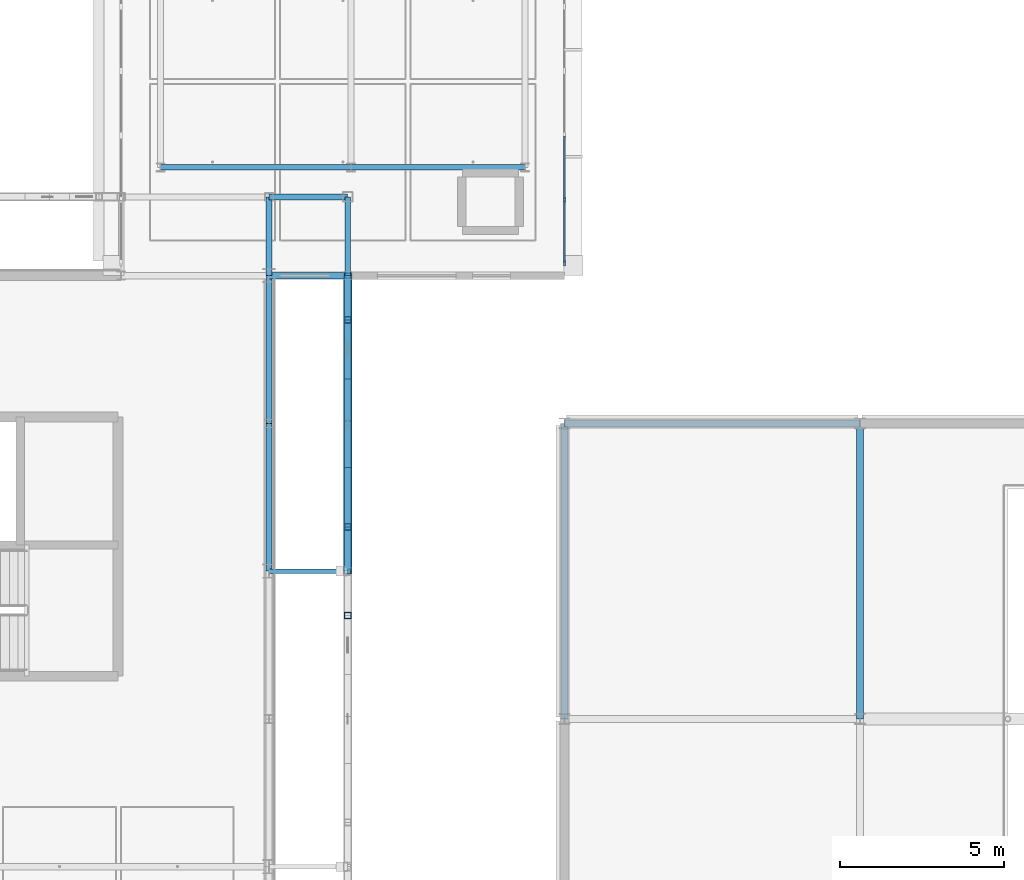
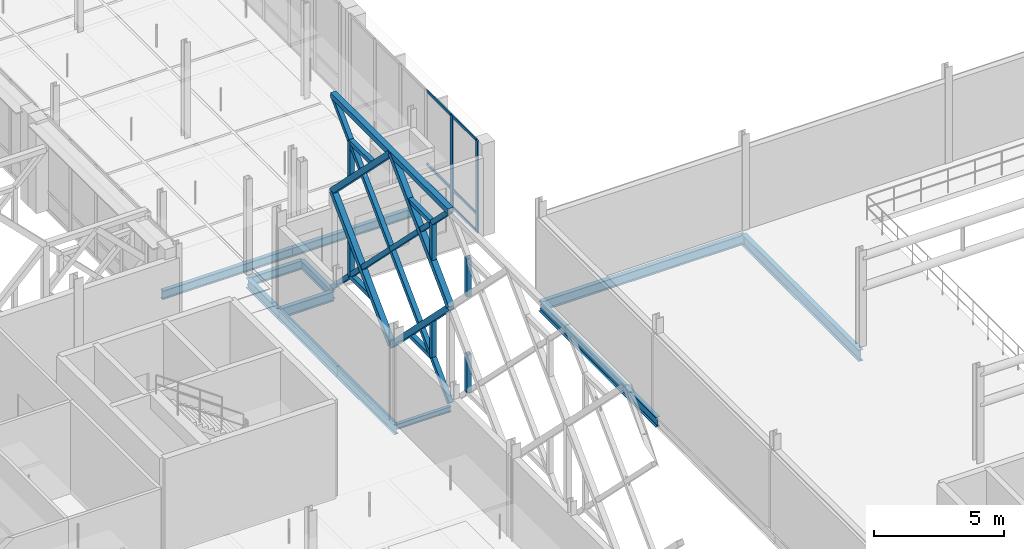
# One storey, part 42 of 140: 30 members, 12 beams, 1 element without a shape of its own.
"""IFC4 building model written with IfcOpenShell, lengths in metres."""

from ifc_helpers import new_model, si_unit, direction, frame, origin, origin_2d, place, context, subcontext, project, spatial, rectangle, hollow_rectangle, i_section, extrude, material, material_profile, profile_set, type_object, element, aggregate, save


model = new_model("IFC4")

# Units and contexts
model_context = context("Model", 3, precision=1e-05, world=origin(), true_north=direction((0.0, 1.0)))
body_context = subcontext(model_context, "Body", "Model", "MODEL_VIEW")
ifc_project = project(units=[si_unit("LENGTHUNIT", "METRE"), si_unit("AREAUNIT", "SQUARE_METRE"), si_unit("VOLUMEUNIT", "CUBIC_METRE"), si_unit("PLANEANGLEUNIT", "RADIAN"), si_unit("MASSUNIT", "GRAM", prefix="KILO"), si_unit("THERMODYNAMICTEMPERATUREUNIT", "KELVIN"), si_unit("POWERUNIT", "WATT")], contexts=[model_context])

# Site, building, storey
site_placement = place(None, origin())
site = spatial("IfcSite", under=ifc_project, at=site_placement, CompositionType="ELEMENT")
building_placement = place(site_placement, origin())
building = spatial("IfcBuilding", under=site, at=building_placement, Name="Tallowbark Science Centre", CompositionType="ELEMENT")
storey_placement = place(building_placement, frame((0.0, 0.0, 9.89990234375)))
storey = spatial("IfcBuildingStorey", under=building, at=storey_placement, Name="L02", CompositionType="ELEMENT", Elevation=9.89990234375)

# Beams
ifc_material_1 = material(Name="White Architectural Painted Steel Grade C350L0 (350 MPa)", Category="steel")
ifc_material_profile_1 = material_profile(ifc_material_1, i_section(OverallWidth=0.146484375, OverallDepth=0.256103515625, WebThickness=0.00634765625, FlangeThickness=0.010986328125, FilletRadius=0.0087890625, at=origin_2d()), Name="250UB37.3")
ifc_profile_set_1 = profile_set([ifc_material_profile_1], Name="White Architectural Painted Steel Grade C350L0 (350 MPa)")
beam_type_1 = type_object("IfcBeamType", Name="BM-OUT250", PredefinedType="BEAM", material=ifc_profile_set_1)
beam_1_placement = place(storey_placement, frame((103.5, 31.5, -0.25), z_axis=(1.0, 0.0, 0.0), x_axis=(0.0, 1.0, 0.0)))
element("IfcBeam", 1, at=beam_1_placement, inside=storey, type_object=beam_type_1, Name="Star Screen Outrigger Tie Beam E-35", PredefinedType="BEAM", context=body_context, shape_type="SweptSolid", body=[
    extrude(i_section(OverallWidth=0.146484375, OverallDepth=0.256103515625, WebThickness=0.00634765625, FlangeThickness=0.010986328125, FilletRadius=0.0087890625, at=origin_2d()), origin(), (0.0, 0.0, 1.0), 2.39990234375),
])
ifc_material_2 = material(Name="Structural Steel Grade 300PLUS (300 MPa)", Category="steel")
ifc_material_profile_2 = material_profile(ifc_material_2, i_section(OverallWidth=0.177734375, OverallDepth=0.406494140625, WebThickness=0.0078125, FlangeThickness=0.0126953125, FilletRadius=0.011474609375, at=origin_2d()), Name="410UB59.7")
ifc_profile_set_2 = profile_set([ifc_material_profile_2], Name="Structural Steel Grade 300PLUS (300 MPa)")
beam_type_2 = type_object("IfcBeamType", Name="BM-UB410", PredefinedType="BEAM", material=ifc_profile_set_2)
beam_2_placement = place(storey_placement, frame((103.5, 42.89990234375, -0.383056640625), z_axis=(1.0, 0.0, 0.0), x_axis=(0.0, 1.0, 0.0)))
element("IfcBeam", 2, at=beam_2_placement, inside=storey, type_object=beam_type_2, Name="Primary Girder GRDX-L02-1035-1059-429", PredefinedType="BEAM", context=body_context, shape_type="SweptSolid", body=[
    extrude(i_section(OverallWidth=0.177734375, OverallDepth=0.406494140625, WebThickness=0.0078125, FlangeThickness=0.0126953125, FilletRadius=0.011474609375, at=origin_2d()), origin(), (0.0, 0.0, 1.0), 2.39990234375),
])
beam_3_placement = place(storey_placement, frame((100.199951171875, 43.800048828125, -0.383056640625), z_axis=(1.0, 0.0, 0.0), x_axis=(0.0, 1.0, 0.0)))
element("IfcBeam", 3, at=beam_3_placement, inside=storey, type_object=beam_type_2, Name="Primary Girder GRDX-L02-1002-1060-438", PredefinedType="BEAM", context=body_context, shape_type="SweptSolid", body=[
    extrude(i_section(OverallWidth=0.177734375, OverallDepth=0.406494140625, WebThickness=0.0078125, FlangeThickness=0.0126953125, FilletRadius=0.011474609375, at=origin_2d()), origin(), (0.0, 0.0, 1.0), 5.800048828125),
])
beam_4_placement = place(storey_placement, frame((106.0, 43.800048828125, -0.383056640625), z_axis=(1.0, 0.0, 0.0), x_axis=(0.0, 1.0, 0.0)))
element("IfcBeam", 4, at=beam_4_placement, inside=storey, type_object=beam_type_2, Name="Primary Girder GRDX-L02-1060-1113-438", PredefinedType="BEAM", context=body_context, shape_type="SweptSolid", body=[
    extrude(i_section(OverallWidth=0.177734375, OverallDepth=0.406494140625, WebThickness=0.0078125, FlangeThickness=0.0126953125, FilletRadius=0.011474609375, at=origin_2d()), origin(), (0.0, 0.0, 1.0), 5.300048828125),
])
beam_5_placement = place(storey_placement, frame((105.89990234375, 40.5, -0.383056640625), z_axis=(0.0, 1.0, 0.0), x_axis=(-1.0, 0.0, 0.0)))
element("IfcBeam", 5, at=beam_5_placement, inside=storey, type_object=beam_type_2, Name="Primary Girder GRDY-L02-1059-405-429", PredefinedType="BEAM", context=body_context, shape_type="SweptSolid", body=[
    extrude(i_section(OverallWidth=0.177734375, OverallDepth=0.406494140625, WebThickness=0.0078125, FlangeThickness=0.0126953125, FilletRadius=0.011474609375, at=origin_2d()), origin(), (0.0, 0.0, 1.0), 2.39990234375),
])
ifc_material_profile_3 = material_profile(ifc_material_2, i_section(OverallWidth=0.208740234375, OverallDepth=0.5283203125, WebThickness=0.009521484375, FlangeThickness=0.01318359375, FilletRadius=0.013916015625, at=origin_2d()), Name="530UB82.0")
ifc_profile_set_3 = profile_set([ifc_material_profile_3], Name="Structural Steel Grade 300PLUS (300 MPa)")
beam_type_3 = type_object("IfcBeamType", Name="BM-UB530B", PredefinedType="BEAM", material=ifc_profile_set_3)
beam_6_placement = place(storey_placement, frame((121.5, 27.0, -0.509033203125), z_axis=(0.0, 1.0, 0.0), x_axis=(-1.0, 0.0, 0.0)))
element("IfcBeam", 6, at=beam_6_placement, inside=storey, type_object=beam_type_3, Name="Primary Girder GRDY-L02-1215-270-360", PredefinedType="BEAM", context=body_context, shape_type="SweptSolid", body=[
    extrude(i_section(OverallWidth=0.208740234375, OverallDepth=0.5283203125, WebThickness=0.009521484375, FlangeThickness=0.01318359375, FilletRadius=0.013916015625, at=origin_2d()), origin(), (0.0, 0.0, 1.0), 9.0),
])

# Curtain wall, members
ifc_material_3 = material(Name="Unitised Thermally Broken Aluminium and Low-E Double Glazing", Category="aluminium")
curtain_wall_type = type_object("IfcCurtainWallType", Name="CW-SYS-FACADE", PredefinedType="NOTDEFINED", material=ifc_material_3)
curtain_wall_placement = place(storey_placement, origin())
curtain_wall = element("IfcCurtainWall", 7, at=curtain_wall_placement, inside=storey, type_object=curtain_wall_type, Name="Unitised Curtain Wall LNK-E-0 CW-L02-017", PredefinedType="NOTDEFINED")
ifc_material_4 = material(Name="Anodised Architectural Aluminium Alloy 6063-T6", Category="aluminium")
ifc_material_profile_4 = material_profile(ifc_material_4, rectangle(XDim=0.06494140625, YDim=0.179931640625, at=origin_2d()), Name="ALU65x180")
ifc_profile_set_4 = profile_set([ifc_material_profile_4], Name="Anodised Architectural Aluminium Alloy 6063-T6")
member_type_1 = type_object("IfcMemberType", Name="CWM-MUL-220", PredefinedType="MULLION", material=ifc_profile_set_4)
member_1_placement = place(storey_placement, frame((112.5, 40.882568359375, 0.0), z_axis=(0.0, 0.0, 1.0), x_axis=(-1.0, 0.0, 0.0)))
member_1 = element("IfcMember", 8, at=member_1_placement, type_object=member_type_1, Name="CW-01 mullion 1", PredefinedType="MULLION", context=body_context, shape_type="SweptSolid", body=[
    extrude(rectangle(XDim=0.06494140625, YDim=0.179931640625, at=origin_2d()), origin(), (0.0, 0.0, 1.0), 4.320068359375),
])
member_2_placement = place(storey_placement, frame((112.5, 42.81005859375, 0.0), z_axis=(0.0, 0.0, 1.0), x_axis=(-1.0, 0.0, 0.0)))
member_2 = element("IfcMember", 9, at=member_2_placement, type_object=member_type_1, Name="CW-01 mullion 2", PredefinedType="MULLION", context=body_context, shape_type="SweptSolid", body=[
    extrude(rectangle(XDim=0.06494140625, YDim=0.179931640625, at=origin_2d()), origin(), (0.0, 0.0, 1.0), 4.320068359375),
])
ifc_material_profile_5 = material_profile(ifc_material_4, rectangle(XDim=0.054931640625, YDim=0.1201171875, at=origin_2d()), Name="ALU55x120")
ifc_profile_set_5 = profile_set([ifc_material_profile_5], Name="Anodised Architectural Aluminium Alloy 6063-T6")
member_type_2 = type_object("IfcMemberType", Name="CWM-TRN-150", PredefinedType="USERDEFINED", material=ifc_profile_set_5)
member_3_placement = place(storey_placement, frame((112.5, 40.9150390625, 0.027587890625), z_axis=(0.0, 1.0, 0.0), x_axis=(-1.0, 0.0, 0.0)))
member_3 = element("IfcMember", 10, at=member_3_placement, type_object=member_type_2, Name="CW-01 transom 1.1", ObjectType="TRANSOM", PredefinedType="USERDEFINED", context=body_context, shape_type="SweptSolid", body=[
    extrude(rectangle(XDim=0.054931640625, YDim=0.1201171875, at=origin_2d()), origin(), (0.0, 0.0, 1.0), 1.862548828125),
])
member_4_placement = place(storey_placement, frame((112.5, 40.9150390625, 0.85009765625), z_axis=(0.0, 1.0, 0.0), x_axis=(-1.0, 0.0, 0.0)))
member_4 = element("IfcMember", 11, at=member_4_placement, type_object=member_type_2, Name="CW-01 transom 1.2", ObjectType="TRANSOM", PredefinedType="USERDEFINED", context=body_context, shape_type="SweptSolid", body=[
    extrude(rectangle(XDim=0.054931640625, YDim=0.1201171875, at=origin_2d()), origin(), (0.0, 0.0, 1.0), 1.862548828125),
])
member_5_placement = place(storey_placement, frame((112.5, 40.9150390625, 4.29248046875), z_axis=(0.0, 1.0, 0.0), x_axis=(-1.0, 0.0, 0.0)))
member_5 = element("IfcMember", 12, at=member_5_placement, type_object=member_type_2, Name="CW-01 transom 1.3", ObjectType="TRANSOM", PredefinedType="USERDEFINED", context=body_context, shape_type="SweptSolid", body=[
    extrude(rectangle(XDim=0.054931640625, YDim=0.1201171875, at=origin_2d()), origin(), (0.0, 0.0, 1.0), 1.862548828125),
])
member_6_placement = place(storey_placement, frame((112.5, 42.842529296875, 0.027587890625), z_axis=(0.0, 1.0, 0.0), x_axis=(-1.0, 0.0, 0.0)))
member_6 = element("IfcMember", 13, at=member_6_placement, type_object=member_type_2, Name="CW-01 transom 2.1", ObjectType="TRANSOM", PredefinedType="USERDEFINED", context=body_context, shape_type="SweptSolid", body=[
    extrude(rectangle(XDim=0.054931640625, YDim=0.1201171875, at=origin_2d()), origin(), (0.0, 0.0, 1.0), 1.89501953125),
])
member_7_placement = place(storey_placement, frame((112.5, 42.842529296875, 0.85009765625), z_axis=(0.0, 1.0, 0.0), x_axis=(-1.0, 0.0, 0.0)))
member_7 = element("IfcMember", 14, at=member_7_placement, type_object=member_type_2, Name="CW-01 transom 2.2", ObjectType="TRANSOM", PredefinedType="USERDEFINED", context=body_context, shape_type="SweptSolid", body=[
    extrude(rectangle(XDim=0.054931640625, YDim=0.1201171875, at=origin_2d()), origin(), (0.0, 0.0, 1.0), 1.89501953125),
])
member_8_placement = place(storey_placement, frame((112.5, 42.842529296875, 4.29248046875), z_axis=(0.0, 1.0, 0.0), x_axis=(-1.0, 0.0, 0.0)))
member_8 = element("IfcMember", 15, at=member_8_placement, type_object=member_type_2, Name="CW-01 transom 2.3", ObjectType="TRANSOM", PredefinedType="USERDEFINED", context=body_context, shape_type="SweptSolid", body=[
    extrude(rectangle(XDim=0.054931640625, YDim=0.1201171875, at=origin_2d()), origin(), (0.0, 0.0, 1.0), 1.89501953125),
])
aggregate(curtain_wall, [member_1, member_2, member_3, member_4, member_5, member_6, member_7, member_8])

# Members
ifc_material_profile_6 = material_profile(ifc_material_1, hollow_rectangle(XDim=0.25, YDim=0.25, WallThickness=0.009033203125, at=origin_2d()), Name="250x250x9.0SHS")
ifc_profile_set_6 = profile_set([ifc_material_profile_6], Name="White Architectural Painted Steel Grade C350L0 (350 MPa)")
member_type_3 = type_object("IfcMemberType", Name="SCR-CHD200", PredefinedType="CHORD", material=ifc_profile_set_6)
member_9_placement = place(storey_placement, frame((105.89990234375, 31.5, 9.0), z_axis=(0.0, 1.0, 0.0), x_axis=(-1.0, 0.0, 0.0)))
element("IfcMember", 16, at=member_9_placement, inside=storey, type_object=member_type_3, Name="Star Screen Frame Chord E-35", PredefinedType="CHORD", context=body_context, shape_type="SweptSolid", body=[
    extrude(hollow_rectangle(XDim=0.25, YDim=0.25, WallThickness=0.009033203125, at=origin_2d()), origin(), (0.0, 0.0, 1.0), 9.0),
])
for number, where, z_axis, x_axis, name in (
    (17, (105.89990234375, 36.0, 0.0), (0.0, 0.707106781187, 0.707106781187), (-1.0, 0.0, 0.0), "Star Screen Octagram Diamond Chord E-35-1"),
    (18, (105.89990234375, 40.5, 4.5), (0.0, -0.707106781187, 0.707106781187), (1.0, 0.0, 0.0), "Star Screen Octagram Diamond Chord E-35-2"),
    (19, (105.89990234375, 36.0, 9.0), (0.0, -0.707106781187, -0.707106781187), (1.0, 0.0, 0.0), "Star Screen Octagram Diamond Chord E-35-3"),
    (20, (105.89990234375, 31.5, 4.5), (0.0, 0.707106781187, -0.707106781187), (-1.0, 0.0, 0.0), "Star Screen Octagram Diamond Chord E-35-4"),
):
    element("IfcMember", number, at=place(storey_placement, frame(where, z_axis=z_axis, x_axis=x_axis)), inside=storey, type_object=member_type_3, Name=name, PredefinedType="CHORD", context=body_context, shape_type="SweptSolid", body=[
        extrude(hollow_rectangle(XDim=0.25, YDim=0.25, WallThickness=0.009033203125, at=origin_2d()), origin(), (0.0, 0.0, 1.0), 6.364013671875),
    ])
ifc_material_profile_7 = material_profile(ifc_material_1, hollow_rectangle(XDim=0.199951171875, YDim=0.199951171875, WallThickness=0.009033203125, at=origin_2d()), Name="200x200x9.0SHS")
ifc_profile_set_7 = profile_set([ifc_material_profile_7], Name="White Architectural Painted Steel Grade C350L0 (350 MPa)")
member_type_4 = type_object("IfcMemberType", Name="SCR-STAR139", PredefinedType="BRACE", material=ifc_profile_set_7)
member_10_placement = place(storey_placement, frame((105.89990234375, 31.5, 0.0), z_axis=(0.0, 0.707106781187, 0.707106781187), x_axis=(-1.0, 0.0, 0.0)))
element("IfcMember", 21, at=member_10_placement, inside=storey, type_object=member_type_4, Name="Star Screen Continuous X-Diagonal D1A E-35", PredefinedType="BRACE", context=body_context, shape_type="SweptSolid", body=[
    extrude(hollow_rectangle(XDim=0.199951171875, YDim=0.199951171875, WallThickness=0.009033203125, at=origin_2d()), origin(), (0.0, 0.0, 1.0), 3.181884765625),
])
member_11_placement = place(storey_placement, frame((105.89990234375, 33.75, 2.25), z_axis=(0.0, 0.707106781187, 0.707106781187), x_axis=(-1.0, 0.0, 0.0)))
element("IfcMember", 22, at=member_11_placement, inside=storey, type_object=member_type_4, Name="Star Screen Continuous X-Diagonal D1M E-35", PredefinedType="BRACE", context=body_context, shape_type="SweptSolid", body=[
    extrude(hollow_rectangle(XDim=0.199951171875, YDim=0.199951171875, WallThickness=0.009033203125, at=origin_2d()), origin(), (0.0, 0.0, 1.0), 6.364013671875),
])
for number, where, z_axis, x_axis, name in (
    (23, (105.89990234375, 38.25, 6.75), (0.0, 0.707106781187, 0.707106781187), (-1.0, 0.0, 0.0), "Star Screen Continuous X-Diagonal D1B E-35"),
    (24, (105.89990234375, 31.5, 9.0), (0.0, 0.707106781187, -0.707106781187), (-1.0, 0.0, 0.0), "Star Screen Split X-Diagonal D2A E-35"),
    (25, (105.89990234375, 33.75, 6.75), (0.0, 0.707106781187, -0.707106781187), (-1.0, 0.0, 0.0), "Star Screen Split X-Diagonal D2B E-35"),
    (26, (105.89990234375, 36.0, 4.5), (0.0, 0.707106781187, -0.707106781187), (-1.0, 0.0, 0.0), "Star Screen Split X-Diagonal D2C E-35"),
    (27, (105.89990234375, 38.25, 2.25), (0.0, 0.707106781187, -0.707106781187), (-1.0, 0.0, 0.0), "Star Screen Split X-Diagonal D2D E-35"),
):
    element("IfcMember", number, at=place(storey_placement, frame(where, z_axis=z_axis, x_axis=x_axis)), inside=storey, type_object=member_type_4, Name=name, PredefinedType="BRACE", context=body_context, shape_type="SweptSolid", body=[
        extrude(hollow_rectangle(XDim=0.199951171875, YDim=0.199951171875, WallThickness=0.009033203125, at=origin_2d()), origin(), (0.0, 0.0, 1.0), 3.181884765625),
    ])
ifc_material_profile_8 = material_profile(ifc_material_1, hollow_rectangle(XDim=0.199951171875, YDim=0.199951171875, WallThickness=0.009033203125, at=origin_2d()), Name="200x200x9.0SHS")
ifc_profile_set_8 = profile_set([ifc_material_profile_8], Name="White Architectural Painted Steel Grade C350L0 (350 MPa)")
member_type_5 = type_object("IfcMemberType", Name="SCR-SUB150", PredefinedType="BRACE", material=ifc_profile_set_8)
for number, where, z_axis, x_axis, name in (
    (28, (105.89990234375, 30.14990234375, 1.35009765625), (0.0, 0.0, 1.0), (1.0, 0.0, 0.0), "Star Screen Octagram Point Ray E-33-4"),
    (29, (105.89990234375, 30.14990234375, 7.650146484375), (0.0, 0.0, -1.0), (1.0, 0.0, 0.0), "Star Screen Octagram Point Ray E-33-6"),
):
    element("IfcMember", number, at=place(storey_placement, frame(where, z_axis=z_axis, x_axis=x_axis)), inside=storey, type_object=member_type_5, Name=name, PredefinedType="BRACE", context=body_context, shape_type="SweptSolid", body=[
        extrude(hollow_rectangle(XDim=0.199951171875, YDim=0.199951171875, WallThickness=0.009033203125, at=origin_2d()), origin(), (0.0, 0.0, 1.0), 1.800048828125),
    ])
member_12_placement = place(storey_placement, frame((105.89990234375, 32.85009765625, 1.35009765625), z_axis=(0.0, 1.0, 0.0), x_axis=(-1.0, 0.0, 0.0)))
element("IfcMember", 30, at=member_12_placement, inside=storey, type_object=member_type_5, Name="Star Screen Octagram Point Ray E-35-1", PredefinedType="BRACE", context=body_context, shape_type="SweptSolid", body=[
    extrude(hollow_rectangle(XDim=0.199951171875, YDim=0.199951171875, WallThickness=0.009033203125, at=origin_2d()), origin(), (0.0, 0.0, 1.0), 1.7998046875),
])
member_13_placement = place(storey_placement, frame((105.89990234375, 32.85009765625, 1.35009765625), z_axis=(0.0, 0.0, 1.0), x_axis=(1.0, 0.0, 0.0)))
element("IfcMember", 31, at=member_13_placement, inside=storey, type_object=member_type_5, Name="Star Screen Octagram Point Ray E-35-2", PredefinedType="BRACE", context=body_context, shape_type="SweptSolid", body=[
    extrude(hollow_rectangle(XDim=0.199951171875, YDim=0.199951171875, WallThickness=0.009033203125, at=origin_2d()), origin(), (0.0, 0.0, 1.0), 1.800048828125),
])
member_14_placement = place(storey_placement, frame((105.89990234375, 39.14990234375, 1.35009765625), z_axis=(0.0, -1.0, 0.0), x_axis=(1.0, 0.0, 0.0)))
element("IfcMember", 32, at=member_14_placement, inside=storey, type_object=member_type_5, Name="Star Screen Octagram Point Ray E-35-3", PredefinedType="BRACE", context=body_context, shape_type="SweptSolid", body=[
    extrude(hollow_rectangle(XDim=0.199951171875, YDim=0.199951171875, WallThickness=0.009033203125, at=origin_2d()), origin(), (0.0, 0.0, 1.0), 1.7998046875),
])
member_15_placement = place(storey_placement, frame((105.89990234375, 39.14990234375, 1.35009765625), z_axis=(0.0, 0.0, 1.0), x_axis=(1.0, 0.0, 0.0)))
element("IfcMember", 33, at=member_15_placement, inside=storey, type_object=member_type_5, Name="Star Screen Octagram Point Ray E-35-4", PredefinedType="BRACE", context=body_context, shape_type="SweptSolid", body=[
    extrude(hollow_rectangle(XDim=0.199951171875, YDim=0.199951171875, WallThickness=0.009033203125, at=origin_2d()), origin(), (0.0, 0.0, 1.0), 1.800048828125),
])
member_16_placement = place(storey_placement, frame((105.89990234375, 39.14990234375, 7.650146484375), z_axis=(0.0, -1.0, 0.0), x_axis=(1.0, 0.0, 0.0)))
element("IfcMember", 34, at=member_16_placement, inside=storey, type_object=member_type_5, Name="Star Screen Octagram Point Ray E-35-5", PredefinedType="BRACE", context=body_context, shape_type="SweptSolid", body=[
    extrude(hollow_rectangle(XDim=0.199951171875, YDim=0.199951171875, WallThickness=0.009033203125, at=origin_2d()), origin(), (0.0, 0.0, 1.0), 1.7998046875),
])
member_17_placement = place(storey_placement, frame((105.89990234375, 39.14990234375, 7.650146484375), z_axis=(0.0, 0.0, -1.0), x_axis=(1.0, 0.0, 0.0)))
element("IfcMember", 35, at=member_17_placement, inside=storey, type_object=member_type_5, Name="Star Screen Octagram Point Ray E-35-6", PredefinedType="BRACE", context=body_context, shape_type="SweptSolid", body=[
    extrude(hollow_rectangle(XDim=0.199951171875, YDim=0.199951171875, WallThickness=0.009033203125, at=origin_2d()), origin(), (0.0, 0.0, 1.0), 1.800048828125),
])
member_18_placement = place(storey_placement, frame((105.89990234375, 32.85009765625, 7.650146484375), z_axis=(0.0, 1.0, 0.0), x_axis=(-1.0, 0.0, 0.0)))
element("IfcMember", 36, at=member_18_placement, inside=storey, type_object=member_type_5, Name="Star Screen Octagram Point Ray E-35-7", PredefinedType="BRACE", context=body_context, shape_type="SweptSolid", body=[
    extrude(hollow_rectangle(XDim=0.199951171875, YDim=0.199951171875, WallThickness=0.009033203125, at=origin_2d()), origin(), (0.0, 0.0, 1.0), 1.7998046875),
])
member_19_placement = place(storey_placement, frame((105.89990234375, 32.85009765625, 7.650146484375), z_axis=(0.0, 0.0, -1.0), x_axis=(1.0, 0.0, 0.0)))
element("IfcMember", 37, at=member_19_placement, inside=storey, type_object=member_type_5, Name="Star Screen Octagram Point Ray E-35-8", PredefinedType="BRACE", context=body_context, shape_type="SweptSolid", body=[
    extrude(hollow_rectangle(XDim=0.199951171875, YDim=0.199951171875, WallThickness=0.009033203125, at=origin_2d()), origin(), (0.0, 0.0, 1.0), 1.800048828125),
])

# Beams
ifc_material_profile_9 = material_profile(ifc_material_2, i_section(OverallWidth=0.18994140625, OverallDepth=0.453857421875, WebThickness=0.008544921875, FlangeThickness=0.0126953125, FilletRadius=0.011474609375, at=origin_2d()), Name="460UB67.1")
ifc_profile_set_9 = profile_set([ifc_material_profile_9], Name="Structural Steel Grade 300PLUS (300 MPa)")
beam_type_4 = type_object("IfcBeamType", Name="SPN-UB460", PredefinedType="SPANDREL", material=ifc_profile_set_9)
beam_7_placement = place(storey_placement, frame((112.5, 36.0, -0.471923828125), z_axis=(1.0, 0.0, 0.0), x_axis=(0.0, 1.0, 0.0)))
element("IfcBeam", 38, at=beam_7_placement, inside=storey, type_object=beam_type_4, Name="Primary Girder GRDX-L02-1125-1215-360", PredefinedType="SPANDREL", context=body_context, shape_type="SweptSolid", body=[
    extrude(i_section(OverallWidth=0.18994140625, OverallDepth=0.453857421875, WebThickness=0.008544921875, FlangeThickness=0.0126953125, FilletRadius=0.011474609375, at=origin_2d()), origin(), (0.0, 0.0, 1.0), 9.0),
])
beam_8_placement = place(storey_placement, frame((103.5, 40.5, -0.40673828125), z_axis=(1.0, 0.0, 0.0), x_axis=(0.0, 1.0, 0.0)))
element("IfcBeam", 39, at=beam_8_placement, inside=storey, type_object=beam_type_4, Name="Primary Girder GRDX-L02-1035-1059-405", PredefinedType="SPANDREL", context=body_context, shape_type="SweptSolid", body=[
    extrude(i_section(OverallWidth=0.18994140625, OverallDepth=0.453857421875, WebThickness=0.008544921875, FlangeThickness=0.0126953125, FilletRadius=0.011474609375, at=origin_2d()), origin(), (0.0, 0.0, 1.0), 2.39990234375),
])
for number, where, z_axis, x_axis, name in (
    (40, (103.5, 31.5, -0.40673828125), (0.0, 1.0, 0.0), (-1.0, 0.0, 0.0), "Primary Girder GRDY-L02-1035-315-360"),
    (41, (103.5, 36.0, -0.40673828125), (0.0, 1.0, 0.0), (-1.0, 0.0, 0.0), "Primary Girder GRDY-L02-1035-360-405"),
):
    element("IfcBeam", number, at=place(storey_placement, frame(where, z_axis=z_axis, x_axis=x_axis)), inside=storey, type_object=beam_type_4, Name=name, PredefinedType="SPANDREL", context=body_context, shape_type="SweptSolid", body=[
        extrude(i_section(OverallWidth=0.18994140625, OverallDepth=0.453857421875, WebThickness=0.008544921875, FlangeThickness=0.0126953125, FilletRadius=0.011474609375, at=origin_2d()), origin(), (0.0, 0.0, 1.0), 4.5),
    ])
beam_9_placement = place(storey_placement, frame((103.5, 40.5, -0.40673828125), z_axis=(0.0, 1.0, 0.0), x_axis=(-1.0, 0.0, 0.0)))
element("IfcBeam", 42, at=beam_9_placement, inside=storey, type_object=beam_type_4, Name="Primary Girder GRDY-L02-1035-405-429", PredefinedType="SPANDREL", context=body_context, shape_type="SweptSolid", body=[
    extrude(i_section(OverallWidth=0.18994140625, OverallDepth=0.453857421875, WebThickness=0.008544921875, FlangeThickness=0.0126953125, FilletRadius=0.011474609375, at=origin_2d()), origin(), (0.0, 0.0, 1.0), 2.39990234375),
])
beam_10_placement = place(storey_placement, frame((112.5, 27.0, -0.471923828125), z_axis=(0.0, 1.0, 0.0), x_axis=(-1.0, 0.0, 0.0)))
element("IfcBeam", 43, at=beam_10_placement, inside=storey, type_object=beam_type_4, Name="Primary Girder GRDY-L02-1125-270-360", PredefinedType="SPANDREL", context=body_context, shape_type="SweptSolid", body=[
    extrude(i_section(OverallWidth=0.18994140625, OverallDepth=0.453857421875, WebThickness=0.008544921875, FlangeThickness=0.0126953125, FilletRadius=0.011474609375, at=origin_2d()), origin(), (0.0, 0.0, 1.0), 9.0),
])

save(model, "model.ifc")
